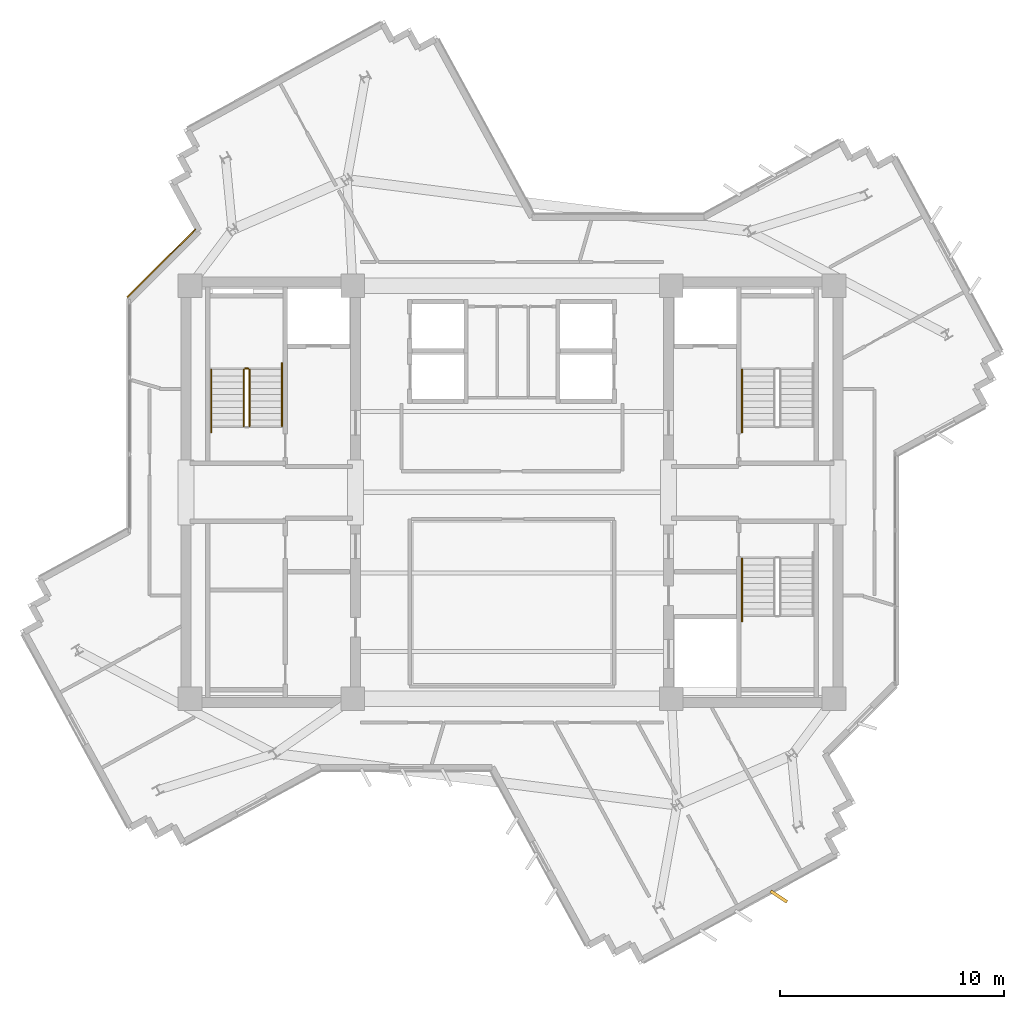
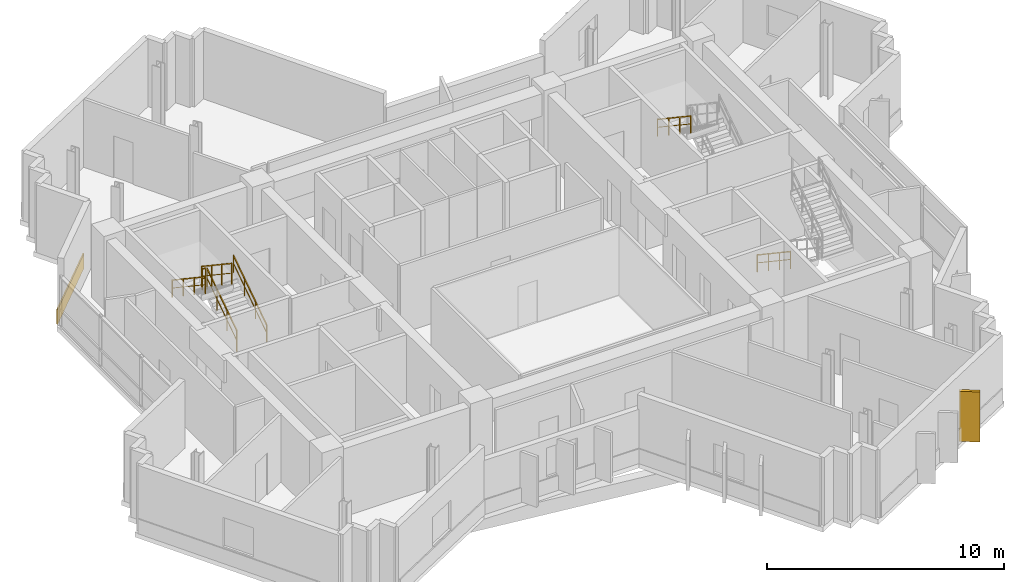
# One storey, part 11 of 13: 7 railings, 2 coverings.
"""IFC4 building model written with IfcOpenShell, lengths in metres."""

from ifc_helpers import new_model, si_unit, direction, frame, origin, origin_2d, place, context, subcontext, project, spatial, rectangle, extrude, source, transform, mapped, material, layer, layer_set, type_object, element, save


model = new_model("IFC4")

# Units and contexts
model_context = context("Model", 3, precision=1e-05, world=origin(), true_north=direction((0.0, 1.0)))
body_context = subcontext(model_context, "Body", "Model", "MODEL_VIEW")
ifc_project = project(units=[si_unit("LENGTHUNIT", "METRE"), si_unit("AREAUNIT", "SQUARE_METRE"), si_unit("VOLUMEUNIT", "CUBIC_METRE"), si_unit("PLANEANGLEUNIT", "RADIAN"), si_unit("MASSUNIT", "GRAM", prefix="KILO")], contexts=[model_context])

# Site, building, storey
site_placement = place(None, origin())
site = spatial("IfcSite", under=ifc_project, at=site_placement, CompositionType="ELEMENT")
building_placement = place(site_placement, origin())
building = spatial("IfcBuilding", under=site, at=building_placement, Name="Zahravan Cultural Tower", CompositionType="ELEMENT")
storey_placement = place(building_placement, frame((0.0, 0.0, 254.10009765625)))
storey = spatial("IfcBuildingStorey", under=building, at=storey_placement, Name="L60", CompositionType="ELEMENT", Elevation=254.10009765625)

# Railings
ifc_material_1 = material(Name="Steel ASTM A572 Grade 50", Category="steel")
railing_type_1 = type_object("IfcRailingType", Name="RL-STAIR-GRD1150", PredefinedType="BALUSTRADE", material=ifc_material_1)
railing_1_placement = place(storey_placement, frame((24.300048828125, 29.949951171875, 0.1875)))
element("IfcRailing", 1, at=railing_1_placement, inside=storey, type_object=railing_type_1, Name="L60 ST-W1 stair guard 1", PredefinedType="BALUSTRADE", context=body_context, shape_type="SweptSolid", body=[
    extrude(rectangle(XDim=0.05, YDim=0.05, at=origin_2d()), frame((0.0, 0.0, 1.0751953125), z_axis=(0.0, 0.830909170722, 0.55640807867), x_axis=(-1.0, 0.0, 0.0)), (0.0, 0.0, 1.0), 3.032958984375),
    extrude(rectangle(XDim=0.032, YDim=0.032, at=origin_2d()), frame((0.0, 0.0, 0.572021484375), z_axis=(0.0, 0.830909170722, 0.55640807867), x_axis=(-1.0, 0.0, 0.0)), (0.0, 0.0, 1.0), 3.032958984375),
    extrude(rectangle(XDim=0.04, YDim=0.04, at=origin_2d()), origin(), (0.0, 0.0, 1.0), 1.10009765625),
    extrude(rectangle(XDim=0.04, YDim=0.04, at=origin_2d()), frame((0.0, 0.840087890625, 0.5625)), (0.0, 0.0, 1.0), 1.10009765625),
    extrude(rectangle(XDim=0.04, YDim=0.04, at=origin_2d()), frame((0.0, 1.679931640625, 1.125)), (0.0, 0.0, 1.0), 1.10009765625),
    extrude(rectangle(XDim=0.04, YDim=0.04, at=origin_2d()), frame((0.0, 2.52001953125, 1.6875)), (0.0, 0.0, 1.0), 1.10009765625),
])
railing_2_placement = place(storey_placement, frame((24.25, 32.52001953125, 1.875)))
element("IfcRailing", 2, at=railing_2_placement, inside=storey, type_object=railing_type_1, Name="L60 ST-W1 stair guard 2", PredefinedType="BALUSTRADE", context=body_context, shape_type="SweptSolid", body=[
    extrude(rectangle(XDim=0.05, YDim=0.05, at=origin_2d()), frame((0.0, 0.0, 1.0751953125), z_axis=(-1.0, 0.0, 0.0), x_axis=(0.0, -1.0, 0.0)), (0.0, 0.0, 1.0), 0.14990234375),
    extrude(rectangle(XDim=0.032, YDim=0.032, at=origin_2d()), frame((0.0, 0.0, 0.572021484375), z_axis=(-1.0, 0.0, 0.0), x_axis=(0.0, -1.0, 0.0)), (0.0, 0.0, 1.0), 0.14990234375),
    extrude(rectangle(XDim=0.04, YDim=0.04, at=origin_2d()), origin(), (0.0, 0.0, 1.0), 1.10009765625),
    extrude(rectangle(XDim=0.04, YDim=0.04, at=origin_2d()), frame((-0.14990234375, 0.0, 0.0)), (0.0, 0.0, 1.0), 1.10009765625),
])
railing_3_placement = place(storey_placement, frame((24.050048828125, 32.469970703125, 2.0625)))
element("IfcRailing", 3, at=railing_3_placement, inside=storey, type_object=railing_type_1, Name="L60 ST-W1 stair guard 3", PredefinedType="BALUSTRADE", context=body_context, shape_type="SweptSolid", body=[
    extrude(rectangle(XDim=0.05, YDim=0.05, at=origin_2d()), frame((0.0, 0.0, 1.0751953125), z_axis=(0.0, -0.830909170722, 0.55640807867), x_axis=(1.0, 0.0, 0.0)), (0.0, 0.0, 1.0), 3.032958984375),
    extrude(rectangle(XDim=0.032, YDim=0.032, at=origin_2d()), frame((0.0, 0.0, 0.572021484375), z_axis=(0.0, -0.830909170722, 0.55640807867), x_axis=(1.0, 0.0, 0.0)), (0.0, 0.0, 1.0), 3.032958984375),
    extrude(rectangle(XDim=0.04, YDim=0.04, at=origin_2d()), origin(), (0.0, 0.0, 1.0), 1.10009765625),
    extrude(rectangle(XDim=0.04, YDim=0.04, at=origin_2d()), frame((0.0, -0.840087890625, 0.5625)), (0.0, 0.0, 1.0), 1.10009765625),
    extrude(rectangle(XDim=0.04, YDim=0.04, at=origin_2d()), frame((0.0, -1.679931640625, 1.125)), (0.0, 0.0, 1.0), 1.10009765625),
    extrude(rectangle(XDim=0.04, YDim=0.04, at=origin_2d()), frame((0.0, -2.52001953125, 1.6875)), (0.0, 0.0, 1.0), 1.10009765625),
])
railing_type_2 = type_object("IfcRailingType", Name="RL-STAIR-HR900", PredefinedType="HANDRAIL", material=ifc_material_1)
railing_4_placement = place(storey_placement, frame((25.75, 29.949951171875, 0.1875)))
element("IfcRailing", 4, at=railing_4_placement, inside=storey, type_object=railing_type_2, Name="L60 ST-W1 stair handrail 1", PredefinedType="HANDRAIL", context=body_context, shape_type="SweptSolid", body=[
    extrude(rectangle(XDim=0.05, YDim=0.05, at=origin_2d()), frame((0.0, 0.0, 0.875), z_axis=(0.0, 0.830911662861, 0.55640435703), x_axis=(-1.0, 0.0, 0.0)), (0.0, 0.0, 1.0), 3.369873046875),
    extrude(rectangle(XDim=0.032, YDim=0.032, at=origin_2d()), frame((0.0, 0.0, 0.468017578125), z_axis=(0.0, 0.830911662861, 0.55640435703), x_axis=(-1.0, 0.0, 0.0)), (0.0, 0.0, 1.0), 3.369873046875),
    extrude(rectangle(XDim=0.04, YDim=0.04, at=origin_2d()), origin(), (0.0, 0.0, 1.0), 0.89990234375),
    extrude(rectangle(XDim=0.04, YDim=0.04, at=origin_2d()), frame((0.0, 0.933349609375, 0.625)), (0.0, 0.0, 1.0), 0.89990234375),
    extrude(rectangle(XDim=0.04, YDim=0.04, at=origin_2d()), frame((0.0, 1.86669921875, 1.25)), (0.0, 0.0, 1.0), 0.89990234375),
    extrude(rectangle(XDim=0.04, YDim=0.04, at=origin_2d()), frame((0.0, 2.800048828125, 1.875)), (0.0, 0.0, 1.0), 0.89990234375),
])
for number, where, name in (
    (5, (22.60009765625, 32.469970703125, 2.0625), "L60 ST-W1 stair handrail 2"),
    (6, (46.25, 32.469970703125, 2.0625), "L60 ST-E1 stair handrail 2"),
    (7, (46.25, 24.050048828125, 0.1875), "L60 ST-E2 stair handrail 1"),
):
    element("IfcRailing", number, at=place(storey_placement, frame(where)), inside=storey, type_object=railing_type_2, Name=name, PredefinedType="HANDRAIL", context=body_context, shape_type="SweptSolid", body=[
        extrude(rectangle(XDim=0.05, YDim=0.05, at=origin_2d()), frame((0.0, 0.0, 0.875), z_axis=(0.0, -0.830911662861, 0.55640435703), x_axis=(1.0, 0.0, 0.0)), (0.0, 0.0, 1.0), 3.369873046875),
        extrude(rectangle(XDim=0.032, YDim=0.032, at=origin_2d()), frame((0.0, 0.0, 0.468017578125), z_axis=(0.0, -0.830911662861, 0.55640435703), x_axis=(1.0, 0.0, 0.0)), (0.0, 0.0, 1.0), 3.369873046875),
        extrude(rectangle(XDim=0.04, YDim=0.04, at=origin_2d()), origin(), (0.0, 0.0, 1.0), 0.89990234375),
        extrude(rectangle(XDim=0.04, YDim=0.04, at=origin_2d()), frame((0.0, -0.933349609375, 0.625)), (0.0, 0.0, 1.0), 0.89990234375),
        extrude(rectangle(XDim=0.04, YDim=0.04, at=origin_2d()), frame((0.0, -1.86669921875, 1.25)), (0.0, 0.0, 1.0), 0.89990234375),
        extrude(rectangle(XDim=0.04, YDim=0.04, at=origin_2d()), frame((0.0, -2.800048828125, 1.875)), (0.0, 0.0, 1.0), 0.89990234375),
    ])

# Coverings
ifc_material_2 = material(Name="Terracotta ceramic cladding", Category="masonry")
ifc_layer = layer(ifc_material_2, 0.06005859375)
ifc_layer_set = layer_set([ifc_layer], Name="Terracotta ceramic cladding")
covering_type = type_object("IfcCoveringType", Name="COV-CLAD-TC60", PredefinedType="CLADDING", material=ifc_layer_set)
shared_shape_1 = source(origin(), body_context, "Body", "SweptSolid", [
    extrude(rectangle(XDim=0.8798828125, YDim=0.139892578125, at=origin_2d()), origin(), (0.0, 0.0, 1.0), 2.580078125),
])
covering_1_placement = place(storey_placement, frame((47.892578125, 8.986572265625, 0.0498046875), z_axis=(0.0, 0.0, 1.0), x_axis=(0.835327930385, -0.549751988372, 0.0)))
element("IfcCovering", 8, at=covering_1_placement, inside=storey, type_object=covering_type, Name="L60 Herringbone Terracotta Fin 09", PredefinedType="CLADDING", context=body_context, shape_type="MappedRepresentation", body=[
    mapped(shared_shape_1, transform((0.0, 0.0, 0.0), x_axis=(1.0, 0.0, 0.0), y_axis=(0.0, 1.0, 0.0), z_axis=(0.0, 0.0, 1.0), scale=1.0)),
])
shared_shape_2 = source(origin(), body_context, "Body", "SweptSolid", [
    extrude(rectangle(XDim=4.29345703125, YDim=0.06005859375, at=origin_2d()), origin(), (0.0, 0.0, 1.0), 0.760009765625),
])
covering_2_placement = place(storey_placement, frame((20.376708984375, 37.2119140625, 0.02001953125), z_axis=(0.0, 0.0, 1.0), x_axis=(0.707106781187, 0.707106781187, 0.0)))
element("IfcCovering", 9, at=covering_2_placement, inside=storey, type_object=covering_type, Name="L60 Terracotta Spandrel Cladding 36", PredefinedType="CLADDING", context=body_context, shape_type="MappedRepresentation", body=[
    mapped(shared_shape_2, transform((0.0, 0.0, 0.0), x_axis=(1.0, 0.0, 0.0), y_axis=(0.0, 1.0, 0.0), z_axis=(0.0, 0.0, 1.0), scale=1.0)),
])

save(model, "model.ifc")
